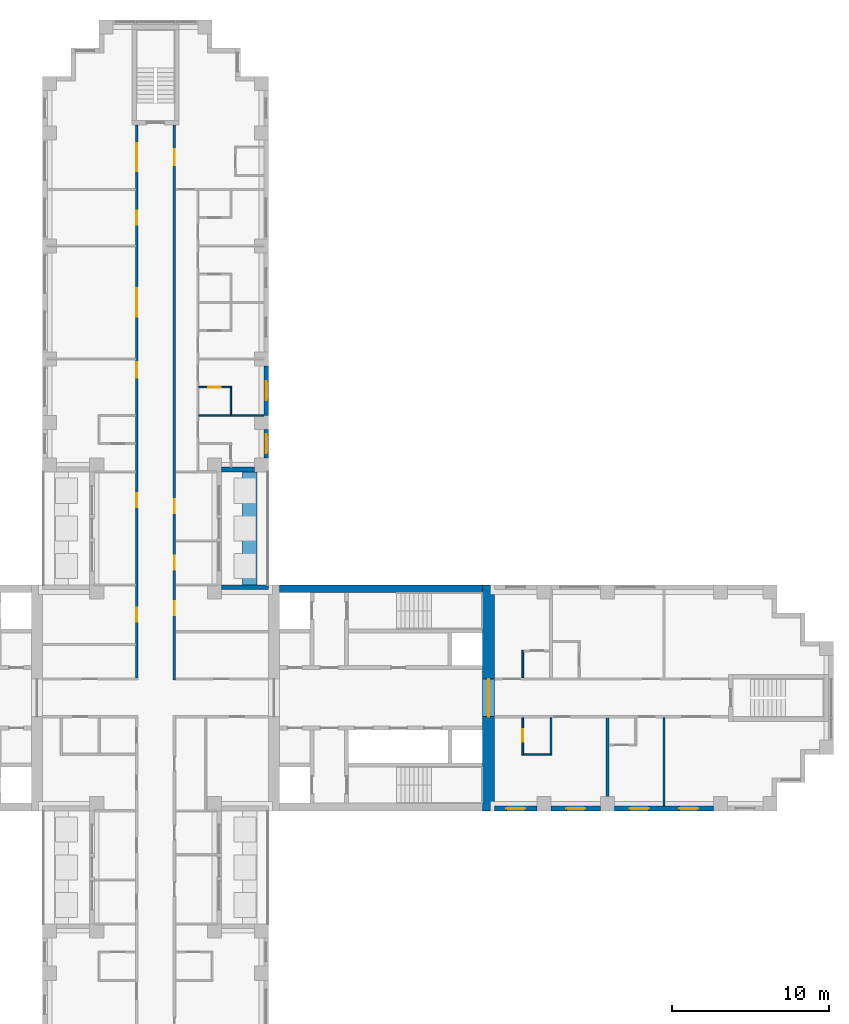
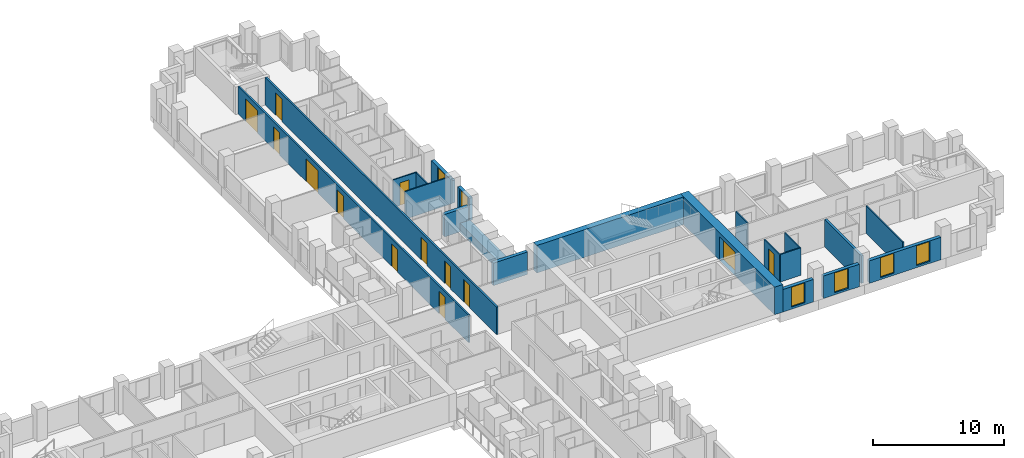
# One storey, part 9 of 15: 21 walls, 13 doors, 6 windows, 19 openings.
"""IFC4 building model written with IfcOpenShell, lengths in metres."""

from ifc_helpers import new_model, si_unit, direction, frame, frame_2d, origin, place, context, subcontext, project, spatial, rectangle, extrude, material, layer, layer_set, type_object, element, fill, save


model = new_model("IFC4")

# Units and contexts
model_context = context("Model", 3, precision=1e-05, world=origin(), true_north=direction((0.0, 1.0)))
body_context = subcontext(model_context, "Body", "Model", "MODEL_VIEW")
ifc_project = project(units=[si_unit("LENGTHUNIT", "METRE"), si_unit("AREAUNIT", "SQUARE_METRE"), si_unit("VOLUMEUNIT", "CUBIC_METRE"), si_unit("PLANEANGLEUNIT", "RADIAN"), si_unit("MASSUNIT", "GRAM", prefix="KILO")], contexts=[model_context])

# Site, building, storey
site_placement = place(None, origin())
site = spatial("IfcSite", under=ifc_project, at=site_placement, CompositionType="ELEMENT")
building_placement = place(site_placement, origin())
building = spatial("IfcBuilding", under=site, at=building_placement, Name="Fustian Cross Tower", CompositionType="ELEMENT")
storey_placement = place(building_placement, frame((0.0, 0.0, 41.699951171875)))
storey = spatial("IfcBuildingStorey", under=building, at=storey_placement, Name="L12", CompositionType="ELEMENT", Elevation=41.699951171875)

# Wall, openings, doors
ifc_material_1 = material(Name="Plasterboard on steel stud", Category="steel")
ifc_layer_1 = layer(ifc_material_1, 0.14990234375)
ifc_layer_set_1 = layer_set([ifc_layer_1], Name="Plasterboard on steel stud")
wall_type_1 = type_object("IfcWallType", Name="COMPARTMENT WALL 150 EI 60", PredefinedType="PARTITIONING", material=ifc_layer_set_1)
wall_1_placement = place(storey_placement, frame((-1.199951171875, 1.27490234375, 0.0), z_axis=(0.0, 0.0, 1.0), x_axis=(0.0, 1.0, 0.0)))
wall_1 = element("IfcWall", 1, at=wall_1_placement, inside=storey, type_object=wall_type_1, Name="Partition 39", PredefinedType="PARTITIONING", context=body_context, shape_type="SweptSolid", body=[
    extrude(rectangle(XDim=35.22509765625, YDim=0.14990234375, at=frame_2d((17.612548828125, 0.0))), origin(), (0.0, 0.0, 1.0), 2.574951171875),
])
opening_1_placement = place(wall_1_placement, frame((3.574951171875, 0.0, 0.0)))
opening_1 = element("IfcOpeningElement", 2, at=opening_1_placement, cuts=wall_1, Name="Opening D07004", PredefinedType="OPENING", context=body_context, shape_type="SweptSolid", body=[
    extrude(rectangle(XDim=0.89990234375, YDim=2.10009765625, at=frame_2d((0.449951171875, 1.050048828125))), frame((0.0, 0.0849609375, 0.0), z_axis=(0.0, -1.0, 0.0), x_axis=(1.0, 0.0, 0.0)), (0.0, 0.0, 1.0), 0.169921875),
])
opening_2_placement = place(wall_1_placement, frame((10.875, 0.0, 0.0)))
opening_2 = element("IfcOpeningElement", 3, at=opening_2_placement, cuts=wall_1, Name="Opening D07020", PredefinedType="OPENING", context=body_context, shape_type="SweptSolid", body=[
    extrude(rectangle(XDim=0.89990234375, YDim=2.10009765625, at=frame_2d((0.449951171875, 1.050048828125))), frame((0.0, 0.0849609375, 0.0), z_axis=(0.0, -1.0, 0.0), x_axis=(1.0, 0.0, 0.0)), (0.0, 0.0, 1.0), 0.169921875),
])
opening_3_placement = place(wall_1_placement, frame((19.125, 0.0, 0.0)))
opening_3 = element("IfcOpeningElement", 4, at=opening_3_placement, cuts=wall_1, Name="Opening D07022", PredefinedType="OPENING", context=body_context, shape_type="SweptSolid", body=[
    extrude(rectangle(XDim=1.0, YDim=2.10009765625, at=frame_2d((0.5, 1.050048828125))), frame((0.0, 0.0849609375, 0.0), z_axis=(0.0, -1.0, 0.0), x_axis=(1.0, 0.0, 0.0)), (0.0, 0.0, 1.0), 0.169921875),
])
opening_4_placement = place(wall_1_placement, frame((23.02490234375, 0.0, 0.0)))
opening_4 = element("IfcOpeningElement", 5, at=opening_4_placement, cuts=wall_1, Name="Opening D07023", PredefinedType="OPENING", context=body_context, shape_type="SweptSolid", body=[
    extrude(rectangle(XDim=1.800048828125, YDim=2.10009765625, at=frame_2d((0.89990234375, 1.050048828125))), frame((0.0, 0.0849609375, 0.0), z_axis=(0.0, -1.0, 0.0), x_axis=(1.0, 0.0, 0.0)), (0.0, 0.0, 1.0), 0.169921875),
])
opening_5_placement = place(wall_1_placement, frame((28.875, 0.0, 0.0)))
opening_5 = element("IfcOpeningElement", 6, at=opening_5_placement, cuts=wall_1, Name="Opening D07024", PredefinedType="OPENING", context=body_context, shape_type="SweptSolid", body=[
    extrude(rectangle(XDim=0.89990234375, YDim=2.10009765625, at=frame_2d((0.449951171875, 1.050048828125))), frame((0.0, 0.0849609375, 0.0), z_axis=(0.0, -1.0, 0.0), x_axis=(1.0, 0.0, 0.0)), (0.0, 0.0, 1.0), 0.169921875),
])
opening_6_placement = place(wall_1_placement, frame((32.27490234375, 0.0, 0.0)))
opening_6 = element("IfcOpeningElement", 7, at=opening_6_placement, cuts=wall_1, Name="Opening D07025", PredefinedType="OPENING", context=body_context, shape_type="SweptSolid", body=[
    extrude(rectangle(XDim=1.800048828125, YDim=2.10009765625, at=frame_2d((0.89990234375, 1.050048828125))), frame((0.0, 0.0849609375, 0.0), z_axis=(0.0, -1.0, 0.0), x_axis=(1.0, 0.0, 0.0)), (0.0, 0.0, 1.0), 0.169921875),
])
ifc_material_2 = material(Name="Timber fire door set", Category="wood")
door_type_1 = type_object("IfcDoorType", Name="FIRE DOUBLE DOOR 1800 FD30S", OperationType="DOUBLE_DOOR_DOUBLE_SWING", PredefinedType="DOOR", material=ifc_material_2)
door_1_placement = place(opening_4_placement, frame((1.800048828125, 0.0, 0.0), z_axis=(0.0, 0.0, 1.0), x_axis=(-1.0, 0.0, 0.0)))
door_1 = element("IfcDoor", 8, at=door_1_placement, inside=storey, type_object=door_type_1, Name="Door D07023", OperationType="DOUBLE_DOOR_DOUBLE_SWING", OverallHeight=2.10009765625, OverallWidth=1.800048828125, PredefinedType="DOOR", context=body_context, shape_type="SweptSolid", body=[
    extrude(rectangle(XDim=1.800048828125, YDim=2.10009765625, at=frame_2d((0.89990234375, 1.050048828125))), frame((0.0, 0.02490234375, 0.0), z_axis=(0.0, -1.0, 0.0), x_axis=(1.0, 0.0, 0.0)), (0.0, 0.0, 1.0), 0.050048828125),
])
fill(opening_4, door_1)
door_2_placement = place(opening_6_placement, frame((1.800048828125, 0.0, 0.0), z_axis=(0.0, 0.0, 1.0), x_axis=(-1.0, 0.0, 0.0)))
door_2 = element("IfcDoor", 9, at=door_2_placement, inside=storey, type_object=door_type_1, Name="Door D07025", OperationType="DOUBLE_DOOR_DOUBLE_SWING", OverallHeight=2.10009765625, OverallWidth=1.800048828125, PredefinedType="DOOR", context=body_context, shape_type="SweptSolid", body=[
    extrude(rectangle(XDim=1.800048828125, YDim=2.10009765625, at=frame_2d((0.89990234375, 1.050048828125))), frame((0.0, 0.02490234375, 0.0), z_axis=(0.0, -1.0, 0.0), x_axis=(1.0, 0.0, 0.0)), (0.0, 0.0, 1.0), 0.050048828125),
])
fill(opening_6, door_2)
ifc_material_3 = material(Name="Timber fire door set", Category="wood")
door_type_2 = type_object("IfcDoorType", Name="FIRE SWING DOOR 1000 FD30S", OperationType="SINGLE_SWING_LEFT", PredefinedType="DOOR", material=ifc_material_3)
door_3_placement = place(opening_3_placement, origin())
door_3 = element("IfcDoor", 10, at=door_3_placement, inside=storey, type_object=door_type_2, Name="Door D07022", OperationType="SINGLE_SWING_RIGHT", OverallHeight=2.10009765625, OverallWidth=1.0, PredefinedType="DOOR", context=body_context, shape_type="SweptSolid", body=[
    extrude(rectangle(XDim=1.0, YDim=2.10009765625, at=frame_2d((0.5, 1.050048828125))), frame((0.0, 0.02490234375, 0.0), z_axis=(0.0, -1.0, 0.0), x_axis=(1.0, 0.0, 0.0)), (0.0, 0.0, 1.0), 0.050048828125),
])
fill(opening_3, door_3)
ifc_material_4 = material(Name="Timber fire door set", Category="wood")
door_type_3 = type_object("IfcDoorType", Name="FIRE SWING DOOR 900 FD30S", OperationType="SINGLE_SWING_LEFT", PredefinedType="DOOR", material=ifc_material_4)
door_4_placement = place(opening_1_placement, origin())
door_4 = element("IfcDoor", 11, at=door_4_placement, inside=storey, type_object=door_type_3, Name="Door D07004", OperationType="SINGLE_SWING_RIGHT", OverallHeight=2.10009765625, OverallWidth=0.89990234375, PredefinedType="DOOR", context=body_context, shape_type="SweptSolid", body=[
    extrude(rectangle(XDim=0.89990234375, YDim=2.10009765625, at=frame_2d((0.449951171875, 1.050048828125))), frame((0.0, 0.02490234375, 0.0), z_axis=(0.0, -1.0, 0.0), x_axis=(1.0, 0.0, 0.0)), (0.0, 0.0, 1.0), 0.050048828125),
])
fill(opening_1, door_4)
door_5_placement = place(opening_2_placement, origin())
door_5 = element("IfcDoor", 12, at=door_5_placement, inside=storey, type_object=door_type_3, Name="Door D07020", OperationType="SINGLE_SWING_RIGHT", OverallHeight=2.10009765625, OverallWidth=0.89990234375, PredefinedType="DOOR", context=body_context, shape_type="SweptSolid", body=[
    extrude(rectangle(XDim=0.89990234375, YDim=2.10009765625, at=frame_2d((0.449951171875, 1.050048828125))), frame((0.0, 0.02490234375, 0.0), z_axis=(0.0, -1.0, 0.0), x_axis=(1.0, 0.0, 0.0)), (0.0, 0.0, 1.0), 0.050048828125),
])
fill(opening_2, door_5)
door_6_placement = place(opening_5_placement, origin())
door_6 = element("IfcDoor", 13, at=door_6_placement, inside=storey, type_object=door_type_3, Name="Door D07024", OperationType="SINGLE_SWING_LEFT", OverallHeight=2.10009765625, OverallWidth=0.89990234375, PredefinedType="DOOR", context=body_context, shape_type="SweptSolid", body=[
    extrude(rectangle(XDim=0.89990234375, YDim=2.10009765625, at=frame_2d((0.449951171875, 1.050048828125))), frame((0.0, 0.02490234375, 0.0), z_axis=(0.0, -1.0, 0.0), x_axis=(1.0, 0.0, 0.0)), (0.0, 0.0, 1.0), 0.050048828125),
])
fill(opening_5, door_6)

wall_2_placement = place(storey_placement, frame((1.199951171875, 1.125, 0.0), z_axis=(0.0, 0.0, 1.0), x_axis=(0.0, 1.0, 0.0)))
wall_2 = element("IfcWall", 14, at=wall_2_placement, inside=storey, type_object=wall_type_1, Name="Partition 52", PredefinedType="PARTITIONING", context=body_context, shape_type="SweptSolid", body=[
    extrude(rectangle(XDim=35.375, YDim=0.14990234375, at=frame_2d((17.6875, 0.0))), origin(), (0.0, 0.0, 1.0), 2.574951171875),
])
opening_7_placement = place(wall_2_placement, frame((4.125, 0.0, 0.0)))
opening_7 = element("IfcOpeningElement", 15, at=opening_7_placement, cuts=wall_2, Name="Opening D07002", PredefinedType="OPENING", context=body_context, shape_type="SweptSolid", body=[
    extrude(rectangle(XDim=0.89990234375, YDim=2.10009765625, at=frame_2d((0.449951171875, 1.050048828125))), frame((0.0, 0.0849609375, 0.0), z_axis=(0.0, -1.0, 0.0), x_axis=(1.0, 0.0, 0.0)), (0.0, 0.0, 1.0), 0.169921875),
])
opening_8_placement = place(wall_2_placement, frame((7.02490234375, 0.0, 0.0)))
opening_8 = element("IfcOpeningElement", 16, at=opening_8_placement, cuts=wall_2, Name="Opening D07026", PredefinedType="OPENING", context=body_context, shape_type="SweptSolid", body=[
    extrude(rectangle(XDim=0.89990234375, YDim=2.10009765625, at=frame_2d((0.449951171875, 1.050048828125))), frame((0.0, 0.0849609375, 0.0), z_axis=(0.0, -1.0, 0.0), x_axis=(1.0, 0.0, 0.0)), (0.0, 0.0, 1.0), 0.169921875),
])
opening_9_placement = place(wall_2_placement, frame((10.625, 0.0, 0.0)))
opening_9 = element("IfcOpeningElement", 17, at=opening_9_placement, cuts=wall_2, Name="Opening D07027", PredefinedType="OPENING", context=body_context, shape_type="SweptSolid", body=[
    extrude(rectangle(XDim=0.89990234375, YDim=2.10009765625, at=frame_2d((0.449951171875, 1.050048828125))), frame((0.0, 0.0849609375, 0.0), z_axis=(0.0, -1.0, 0.0), x_axis=(1.0, 0.0, 0.0)), (0.0, 0.0, 1.0), 0.169921875),
])
opening_10_placement = place(wall_2_placement, frame((32.824951171875, 0.0, 0.0)))
opening_10 = element("IfcOpeningElement", 18, at=opening_10_placement, cuts=wall_2, Name="Opening D07029", PredefinedType="OPENING", context=body_context, shape_type="SweptSolid", body=[
    extrude(rectangle(XDim=1.0, YDim=2.10009765625, at=frame_2d((0.5, 1.050048828125))), frame((0.0, 0.0849609375, 0.0), z_axis=(0.0, -1.0, 0.0), x_axis=(1.0, 0.0, 0.0)), (0.0, 0.0, 1.0), 0.169921875),
])
door_7_placement = place(opening_10_placement, frame((1.0, 0.0, 0.0), z_axis=(0.0, 0.0, 1.0), x_axis=(-1.0, 0.0, 0.0)))
door_7 = element("IfcDoor", 19, at=door_7_placement, inside=storey, type_object=door_type_2, Name="Door D07029", OperationType="SINGLE_SWING_RIGHT", OverallHeight=2.10009765625, OverallWidth=1.0, PredefinedType="DOOR", context=body_context, shape_type="SweptSolid", body=[
    extrude(rectangle(XDim=1.0, YDim=2.10009765625, at=frame_2d((0.5, 1.050048828125))), frame((0.0, 0.02490234375, 0.0), z_axis=(0.0, -1.0, 0.0), x_axis=(1.0, 0.0, 0.0)), (0.0, 0.0, 1.0), 0.050048828125),
])
fill(opening_10, door_7)
door_8_placement = place(opening_7_placement, frame((0.89990234375, 0.0, 0.0), z_axis=(0.0, 0.0, 1.0), x_axis=(-1.0, 0.0, 0.0)))
door_8 = element("IfcDoor", 20, at=door_8_placement, inside=storey, type_object=door_type_3, Name="Door D07002", OperationType="SINGLE_SWING_LEFT", OverallHeight=2.10009765625, OverallWidth=0.89990234375, PredefinedType="DOOR", context=body_context, shape_type="SweptSolid", body=[
    extrude(rectangle(XDim=0.89990234375, YDim=2.10009765625, at=frame_2d((0.449951171875, 1.050048828125))), frame((0.0, 0.02490234375, 0.0), z_axis=(0.0, -1.0, 0.0), x_axis=(1.0, 0.0, 0.0)), (0.0, 0.0, 1.0), 0.050048828125),
])
fill(opening_7, door_8)
door_9_placement = place(opening_8_placement, frame((0.89990234375, 0.0, 0.0), z_axis=(0.0, 0.0, 1.0), x_axis=(-1.0, 0.0, 0.0)))
door_9 = element("IfcDoor", 21, at=door_9_placement, inside=storey, type_object=door_type_3, Name="Door D07026", OperationType="SINGLE_SWING_RIGHT", OverallHeight=2.10009765625, OverallWidth=0.89990234375, PredefinedType="DOOR", context=body_context, shape_type="SweptSolid", body=[
    extrude(rectangle(XDim=0.89990234375, YDim=2.10009765625, at=frame_2d((0.449951171875, 1.050048828125))), frame((0.0, 0.02490234375, 0.0), z_axis=(0.0, -1.0, 0.0), x_axis=(1.0, 0.0, 0.0)), (0.0, 0.0, 1.0), 0.050048828125),
])
fill(opening_8, door_9)
door_10_placement = place(opening_9_placement, frame((0.89990234375, 0.0, 0.0), z_axis=(0.0, 0.0, 1.0), x_axis=(-1.0, 0.0, 0.0)))
door_10 = element("IfcDoor", 22, at=door_10_placement, inside=storey, type_object=door_type_3, Name="Door D07027", OperationType="SINGLE_SWING_RIGHT", OverallHeight=2.10009765625, OverallWidth=0.89990234375, PredefinedType="DOOR", context=body_context, shape_type="SweptSolid", body=[
    extrude(rectangle(XDim=0.89990234375, YDim=2.10009765625, at=frame_2d((0.449951171875, 1.050048828125))), frame((0.0, 0.02490234375, 0.0), z_axis=(0.0, -1.0, 0.0), x_axis=(1.0, 0.0, 0.0)), (0.0, 0.0, 1.0), 0.050048828125),
])
fill(opening_9, door_10)

# Wall, opening, door
ifc_material_5 = material(Name="Concrete C80/95", Category="concrete")
ifc_layer_2 = layer(ifc_material_5, 0.75)
ifc_layer_set_2 = layer_set([ifc_layer_2], Name="Concrete C80/95")
wall_type_2 = type_object("IfcWallType", Name="CORE END WALL 750 C80/95", PredefinedType="SHEAR", material=ifc_layer_set_2)
wall_3_placement = place(storey_placement, frame((21.22509765625, -7.199951171875, 0.0), z_axis=(0.0, 0.0, 1.0), x_axis=(0.0, 1.0, 0.0)))
wall_3 = element("IfcWall", 23, at=wall_3_placement, inside=storey, type_object=wall_type_2, Name="Core end wall", PredefinedType="SHEAR", context=body_context, shape_type="SweptSolid", body=[
    extrude(rectangle(XDim=14.39990234375, YDim=0.75, at=frame_2d((7.199951171875, 0.0))), origin(), (0.0, 0.0, 1.0), 2.574951171875),
])
opening_11_placement = place(wall_3_placement, frame((6.0, 0.0, 0.0)))
opening_11 = element("IfcOpeningElement", 24, at=opening_11_placement, cuts=wall_3, Name="Opening CD-04-13", PredefinedType="OPENING", context=body_context, shape_type="SweptSolid", body=[
    extrude(rectangle(XDim=2.39990234375, YDim=2.199951171875, at=frame_2d((1.199951171875, 1.10009765625))), frame((0.0, 0.385009765625, 0.0), z_axis=(0.0, -1.0, 0.0), x_axis=(1.0, 0.0, 0.0)), (0.0, 0.0, 1.0), 0.77001953125),
])
ifc_material_6 = material(Name="Steel", Category="steel")
door_type_4 = type_object("IfcDoorType", Name="FIRE DOOR FD30S DOUBLE 2400X2200", OperationType="DOUBLE_DOOR_DOUBLE_SWING", PredefinedType="DOOR", material=ifc_material_6)
door_11_placement = place(opening_11_placement, origin())
door_11 = element("IfcDoor", 25, at=door_11_placement, inside=storey, type_object=door_type_4, Name="Core door CD-04-13", OperationType="DOUBLE_DOOR_DOUBLE_SWING", OverallHeight=2.199951171875, OverallWidth=2.39990234375, PredefinedType="DOOR", context=body_context, shape_type="SweptSolid", body=[
    extrude(rectangle(XDim=2.39990234375, YDim=2.199951171875, at=frame_2d((1.199951171875, 1.10009765625))), frame((0.0, 0.02490234375, 0.0), z_axis=(0.0, -1.0, 0.0), x_axis=(1.0, 0.0, 0.0)), (0.0, 0.0, 1.0), 0.050048828125),
])
fill(opening_11, door_11)

# Walls
ifc_material_7 = material(Name="Concrete C80/95", Category="concrete")
ifc_layer_3 = layer(ifc_material_7, 0.5)
ifc_layer_set_3 = layer_set([ifc_layer_3], Name="Concrete C80/95")
wall_type_3 = type_object("IfcWallType", Name="CORE FACADE WALL 500 C80/95", PredefinedType="SHEAR", material=ifc_layer_set_3)
wall_4_placement = place(storey_placement, frame((7.89990234375, 6.949951171875, 0.0), z_axis=(0.0, 0.0, 1.0), x_axis=(1.0, 0.0, 0.0)))
element("IfcWall", 26, at=wall_4_placement, inside=storey, type_object=wall_type_3, Name="Core facade wall", PredefinedType="SHEAR", context=body_context, shape_type="SweptSolid", body=[
    extrude(rectangle(XDim=12.9501953125, YDim=0.5, at=frame_2d((6.47509765625, 0.0))), origin(), (0.0, 0.0, 1.0), 2.574951171875),
])
ifc_material_8 = material(Name="Plasterboard on steel stud", Category="steel")
ifc_layer_4 = layer(ifc_material_8, 0.10009765625)
ifc_layer_set_4 = layer_set([ifc_layer_4], Name="Plasterboard on steel stud")
wall_type_4 = type_object("IfcWallType", Name="PARTITION 100 STUD", PredefinedType="PARTITIONING", material=ifc_layer_set_4)
wall_5_placement = place(storey_placement, frame((2.75, 18.0, 0.0), z_axis=(0.0, 0.0, 1.0), x_axis=(1.0, 0.0, 0.0)))
element("IfcWall", 27, at=wall_5_placement, inside=storey, type_object=wall_type_4, Name="Partition 62", PredefinedType="PARTITIONING", context=body_context, shape_type="SweptSolid", body=[
    extrude(rectangle(XDim=4.14990234375, YDim=0.10009765625, at=frame_2d((2.074951171875, 0.0))), origin(), (0.0, 0.0, 1.0), 2.574951171875),
])

# Wall, opening, door
wall_6_placement = place(storey_placement, frame((2.75, 19.800048828125, 0.0), z_axis=(0.0, 0.0, 1.0), x_axis=(1.0, 0.0, 0.0)))
wall_6 = element("IfcWall", 28, at=wall_6_placement, inside=storey, type_object=wall_type_4, Name="Partition 63", PredefinedType="PARTITIONING", context=body_context, shape_type="SweptSolid", body=[
    extrude(rectangle(XDim=2.10009765625, YDim=0.10009765625, at=frame_2d((1.050048828125, 0.0))), origin(), (0.0, 0.0, 1.0), 2.574951171875),
])
opening_12_placement = place(wall_6_placement, frame((0.60009765625, 0.0, 0.0)))
opening_12 = element("IfcOpeningElement", 29, at=opening_12_placement, cuts=wall_6, Name="Opening D07037", PredefinedType="OPENING", context=body_context, shape_type="SweptSolid", body=[
    extrude(rectangle(XDim=0.800048828125, YDim=2.10009765625, at=frame_2d((0.39990234375, 1.050048828125))), frame((0.0, 0.06005859375, 0.0), z_axis=(0.0, -1.0, 0.0), x_axis=(1.0, 0.0, 0.0)), (0.0, 0.0, 1.0), 0.1201171875),
])
ifc_material_9 = material(Name="Painted timber", Category="wood")
door_type_5 = type_object("IfcDoorType", Name="SWING DOOR 800", OperationType="SINGLE_SWING_LEFT", PredefinedType="DOOR", material=ifc_material_9)
door_12_placement = place(opening_12_placement, frame((0.800048828125, 0.0, 0.0), z_axis=(0.0, 0.0, 1.0), x_axis=(-1.0, 0.0, 0.0)))
door_12 = element("IfcDoor", 30, at=door_12_placement, inside=storey, type_object=door_type_5, Name="Door D07037", OperationType="SINGLE_SWING_RIGHT", OverallHeight=2.10009765625, OverallWidth=0.800048828125, PredefinedType="DOOR", context=body_context, shape_type="SweptSolid", body=[
    extrude(rectangle(XDim=0.800048828125, YDim=2.10009765625, at=frame_2d((0.39990234375, 1.050048828125))), frame((0.0, 0.02490234375, 0.0), z_axis=(0.0, -1.0, 0.0), x_axis=(1.0, 0.0, 0.0)), (0.0, 0.0, 1.0), 0.050048828125),
])
fill(opening_12, door_12)

# Wall
wall_7_placement = place(storey_placement, frame((4.800048828125, 18.050048828125, 0.0), z_axis=(0.0, 0.0, 1.0), x_axis=(0.0, 1.0, 0.0)))
element("IfcWall", 31, at=wall_7_placement, inside=storey, type_object=wall_type_4, Name="Partition 74", PredefinedType="PARTITIONING", context=body_context, shape_type="SweptSolid", body=[
    extrude(rectangle(XDim=1.699951171875, YDim=0.10009765625, at=frame_2d((0.85009765625, 0.0))), origin(), (0.0, 0.0, 1.0), 2.574951171875),
])

# Wall, opening, door
wall_8_placement = place(storey_placement, frame((23.39990234375, -3.64990234375, 0.0), z_axis=(0.0, 0.0, 1.0), x_axis=(0.0, 1.0, 0.0)))
wall_8 = element("IfcWall", 32, at=wall_8_placement, inside=storey, type_object=wall_type_4, Name="Partition 82", PredefinedType="PARTITIONING", context=body_context, shape_type="SweptSolid", body=[
    extrude(rectangle(XDim=2.375, YDim=0.10009765625, at=frame_2d((1.1875, 0.0))), origin(), (0.0, 0.0, 1.0), 2.574951171875),
])
opening_13_placement = place(wall_8_placement, frame((0.85009765625, 0.0, 0.0)))
opening_13 = element("IfcOpeningElement", 33, at=opening_13_placement, cuts=wall_8, Name="Opening D07015", PredefinedType="OPENING", context=body_context, shape_type="SweptSolid", body=[
    extrude(rectangle(XDim=0.800048828125, YDim=2.10009765625, at=frame_2d((0.39990234375, 1.050048828125))), frame((0.0, 0.06005859375, 0.0), z_axis=(0.0, -1.0, 0.0), x_axis=(1.0, 0.0, 0.0)), (0.0, 0.0, 1.0), 0.1201171875),
])
door_13_placement = place(opening_13_placement, frame((0.800048828125, 0.0, 0.0), z_axis=(0.0, 0.0, 1.0), x_axis=(-1.0, 0.0, 0.0)))
door_13 = element("IfcDoor", 34, at=door_13_placement, inside=storey, type_object=door_type_5, Name="Door D07015", OperationType="SINGLE_SWING_RIGHT", OverallHeight=2.10009765625, OverallWidth=0.800048828125, PredefinedType="DOOR", context=body_context, shape_type="SweptSolid", body=[
    extrude(rectangle(XDim=0.800048828125, YDim=2.10009765625, at=frame_2d((0.39990234375, 1.050048828125))), frame((0.0, 0.02490234375, 0.0), z_axis=(0.0, -1.0, 0.0), x_axis=(1.0, 0.0, 0.0)), (0.0, 0.0, 1.0), 0.050048828125),
])
fill(opening_13, door_13)

# Walls
wall_9_placement = place(storey_placement, frame((23.449951171875, -3.60009765625, 0.0), z_axis=(0.0, 0.0, 1.0), x_axis=(1.0, 0.0, 0.0)))
element("IfcWall", 35, at=wall_9_placement, inside=storey, type_object=wall_type_4, Name="Partition 83", PredefinedType="PARTITIONING", context=body_context, shape_type="SweptSolid", body=[
    extrude(rectangle(XDim=1.800048828125, YDim=0.10009765625, at=frame_2d((0.89990234375, 0.0))), origin(), (0.0, 0.0, 1.0), 2.574951171875),
])
wall_10_placement = place(storey_placement, frame((23.39990234375, 1.27490234375, 0.0), z_axis=(0.0, 0.0, 1.0), x_axis=(0.0, 1.0, 0.0)))
element("IfcWall", 36, at=wall_10_placement, inside=storey, type_object=wall_type_4, Name="Partition 84", PredefinedType="PARTITIONING", context=body_context, shape_type="SweptSolid", body=[
    extrude(rectangle(XDim=1.775146484375, YDim=0.10009765625, at=frame_2d((0.8876953125, 0.0))), origin(), (0.0, 0.0, 1.0), 2.574951171875),
])
wall_11_placement = place(storey_placement, frame((25.199951171875, -3.550048828125, 0.0), z_axis=(0.0, 0.0, 1.0), x_axis=(0.0, 1.0, 0.0)))
element("IfcWall", 37, at=wall_11_placement, inside=storey, type_object=wall_type_4, Name="Partition 86", PredefinedType="PARTITIONING", context=body_context, shape_type="SweptSolid", body=[
    extrude(rectangle(XDim=2.275146484375, YDim=0.10009765625, at=frame_2d((1.1376953125, 0.0))), origin(), (0.0, 0.0, 1.0), 2.574951171875),
])
wall_12_placement = place(storey_placement, frame((32.39990234375, -6.89990234375, 0.0), z_axis=(0.0, 0.0, 1.0), x_axis=(0.0, 1.0, 0.0)))
element("IfcWall", 38, at=wall_12_placement, inside=storey, type_object=wall_type_4, Name="Partition 93", PredefinedType="PARTITIONING", context=body_context, shape_type="SweptSolid", body=[
    extrude(rectangle(XDim=5.625, YDim=0.10009765625, at=frame_2d((2.8125, 0.0))), origin(), (0.0, 0.0, 1.0), 2.574951171875),
])
ifc_material_10 = material(Name="Plasterboard on steel stud", Category="steel")
ifc_layer_5 = layer(ifc_material_10, 0.199951171875)
ifc_layer_set_5 = layer_set([ifc_layer_5], Name="Plasterboard on steel stud")
wall_type_5 = type_object("IfcWallType", Name="PARTY WALL 200 EI 60", PredefinedType="PARTITIONING", material=ifc_layer_set_5)
wall_13_placement = place(storey_placement, frame((28.800048828125, -6.89990234375, 0.0), z_axis=(0.0, 0.0, 1.0), x_axis=(0.0, 1.0, 0.0)))
element("IfcWall", 39, at=wall_13_placement, inside=storey, type_object=wall_type_5, Name="Partition 90", PredefinedType="PARTITIONING", context=body_context, shape_type="SweptSolid", body=[
    extrude(rectangle(XDim=5.625, YDim=0.199951171875, at=frame_2d((2.8125, 0.0))), origin(), (0.0, 0.0, 1.0), 2.574951171875),
])
ifc_material_11 = material(Name="Concrete C40/50", Category="concrete")
ifc_layer_6 = layer(ifc_material_11, 0.89990234375)
ifc_layer_set_6 = layer_set([ifc_layer_6], Name="Concrete C40/50")
wall_type_6 = type_object("IfcWallType", Name="PK1 PLANTER 900", PredefinedType="PARAPET", material=ifc_layer_set_6)
wall_14_placement = place(storey_placement, frame((6.0, 7.199951171875, 0.0), z_axis=(0.0, 0.0, 1.0), x_axis=(0.0, 1.0, 0.0)))
element("IfcWall", 40, at=wall_14_placement, inside=storey, type_object=wall_type_6, Name="PLANTER", PredefinedType="PARAPET", context=body_context, shape_type="SweptSolid", body=[
    extrude(rectangle(XDim=7.199951171875, YDim=0.89990234375, at=frame_2d((3.60009765625, 0.0))), origin(), (0.0, 0.0, 1.0), 0.800048828125),
])

# Wall, opening, window
ifc_material_12 = material(Name="Dark aluminium cladding on insulated backing wall", Category="aluminium")
ifc_layer_7 = layer(ifc_material_12, 0.300048828125)
ifc_layer_set_7 = layer_set([ifc_layer_7], Name="Dark aluminium cladding on insulated backing wall")
wall_type_7 = type_object("IfcWallType", Name="XW1 EXTERNAL WALL 300", PredefinedType="SOLIDWALL", material=ifc_layer_set_7)
wall_15_placement = place(storey_placement, frame((21.60009765625, -7.050048828125, 0.0), z_axis=(0.0, 0.0, 1.0), x_axis=(1.0, 0.0, 0.0)))
wall_15 = element("IfcWall", 41, at=wall_15_placement, inside=storey, type_object=wall_type_7, Name="External wall", PredefinedType="SOLIDWALL", context=body_context, shape_type="SweptSolid", body=[
    extrude(rectangle(XDim=2.699951171875, YDim=0.300048828125, at=frame_2d((1.35009765625, 0.0))), origin(), (0.0, 0.0, 1.0), 2.10009765625),
])
opening_14_placement = place(wall_15_placement, frame((0.75, 0.0, 0.199951171875)))
opening_14 = element("IfcOpeningElement", 42, at=opening_14_placement, cuts=wall_15, Name="Opening WN3", PredefinedType="OPENING", context=body_context, shape_type="SweptSolid", body=[
    extrude(rectangle(XDim=1.199951171875, YDim=1.85009765625, at=frame_2d((0.60009765625, 0.925048828125))), frame((0.0, 0.159912109375, 0.0), z_axis=(0.0, -1.0, 0.0), x_axis=(1.0, 0.0, 0.0)), (0.0, 0.0, 1.0), 0.320068359375),
])
ifc_material_13 = material(Name="Dark anodised aluminium and double glazing", Category="aluminium")
window_type = type_object("IfcWindowType", Name="WN3 WINDOW 1200X1850", PartitioningType="SINGLE_PANEL", PredefinedType="WINDOW", material=ifc_material_13)
window_1_placement = place(opening_14_placement, origin())
window_1 = element("IfcWindow", 43, at=window_1_placement, inside=storey, type_object=window_type, Name="Window", OverallHeight=1.85009765625, OverallWidth=1.199951171875, PartitioningType="SINGLE_PANEL", PredefinedType="WINDOW", context=body_context, shape_type="SweptSolid", body=[
    extrude(rectangle(XDim=1.199951171875, YDim=1.85009765625, at=frame_2d((0.60009765625, 0.925048828125))), frame((0.0, 0.030029296875, 0.0), z_axis=(0.0, -1.0, 0.0), x_axis=(1.0, 0.0, 0.0)), (0.0, 0.0, 1.0), 0.06005859375),
])
fill(opening_14, window_1)

wall_16_placement = place(storey_placement, frame((25.199951171875, -7.050048828125, 0.0), z_axis=(0.0, 0.0, 1.0), x_axis=(1.0, 0.0, 0.0)))
wall_16 = element("IfcWall", 44, at=wall_16_placement, inside=storey, type_object=wall_type_7, Name="External wall", PredefinedType="SOLIDWALL", context=body_context, shape_type="SweptSolid", body=[
    extrude(rectangle(XDim=3.150146484375, YDim=0.300048828125, at=frame_2d((1.5751953125, 0.0))), origin(), (0.0, 0.0, 1.0), 2.10009765625),
])
opening_15_placement = place(wall_16_placement, frame((0.97509765625, 0.0, 0.199951171875)))
opening_15 = element("IfcOpeningElement", 45, at=opening_15_placement, cuts=wall_16, Name="Opening WN3", PredefinedType="OPENING", context=body_context, shape_type="SweptSolid", body=[
    extrude(rectangle(XDim=1.199951171875, YDim=1.85009765625, at=frame_2d((0.60009765625, 0.925048828125))), frame((0.0, 0.159912109375, 0.0), z_axis=(0.0, -1.0, 0.0), x_axis=(1.0, 0.0, 0.0)), (0.0, 0.0, 1.0), 0.320068359375),
])
window_2_placement = place(opening_15_placement, origin())
window_2 = element("IfcWindow", 46, at=window_2_placement, inside=storey, type_object=window_type, Name="Window", OverallHeight=1.85009765625, OverallWidth=1.199951171875, PartitioningType="SINGLE_PANEL", PredefinedType="WINDOW", context=body_context, shape_type="SweptSolid", body=[
    extrude(rectangle(XDim=1.199951171875, YDim=1.85009765625, at=frame_2d((0.60009765625, 0.925048828125))), frame((0.0, 0.030029296875, 0.0), z_axis=(0.0, -1.0, 0.0), x_axis=(1.0, 0.0, 0.0)), (0.0, 0.0, 1.0), 0.06005859375),
])
fill(opening_15, window_2)

# Wall, openings, windows
wall_17_placement = place(storey_placement, frame((29.25, -7.050048828125, 0.0), z_axis=(0.0, 0.0, 1.0), x_axis=(1.0, 0.0, 0.0)))
wall_17 = element("IfcWall", 47, at=wall_17_placement, inside=storey, type_object=wall_type_7, Name="External wall", PredefinedType="SOLIDWALL", context=body_context, shape_type="SweptSolid", body=[
    extrude(rectangle(XDim=6.300048828125, YDim=0.300048828125, at=frame_2d((3.14990234375, 0.0))), origin(), (0.0, 0.0, 1.0), 2.10009765625),
])
opening_16_placement = place(wall_17_placement, frame((0.97509765625, 0.0, 0.199951171875)))
opening_16 = element("IfcOpeningElement", 48, at=opening_16_placement, cuts=wall_17, Name="Opening WN3", PredefinedType="OPENING", context=body_context, shape_type="SweptSolid", body=[
    extrude(rectangle(XDim=1.199951171875, YDim=1.85009765625, at=frame_2d((0.60009765625, 0.925048828125))), frame((0.0, 0.159912109375, 0.0), z_axis=(0.0, -1.0, 0.0), x_axis=(1.0, 0.0, 0.0)), (0.0, 0.0, 1.0), 0.320068359375),
])
opening_17_placement = place(wall_17_placement, frame((4.125, 0.0, 0.199951171875)))
opening_17 = element("IfcOpeningElement", 49, at=opening_17_placement, cuts=wall_17, Name="Opening WN3", PredefinedType="OPENING", context=body_context, shape_type="SweptSolid", body=[
    extrude(rectangle(XDim=1.199951171875, YDim=1.85009765625, at=frame_2d((0.60009765625, 0.925048828125))), frame((0.0, 0.159912109375, 0.0), z_axis=(0.0, -1.0, 0.0), x_axis=(1.0, 0.0, 0.0)), (0.0, 0.0, 1.0), 0.320068359375),
])
window_3_placement = place(opening_16_placement, origin())
window_3 = element("IfcWindow", 50, at=window_3_placement, inside=storey, type_object=window_type, Name="Window", OverallHeight=1.85009765625, OverallWidth=1.199951171875, PartitioningType="SINGLE_PANEL", PredefinedType="WINDOW", context=body_context, shape_type="SweptSolid", body=[
    extrude(rectangle(XDim=1.199951171875, YDim=1.85009765625, at=frame_2d((0.60009765625, 0.925048828125))), frame((0.0, 0.030029296875, 0.0), z_axis=(0.0, -1.0, 0.0), x_axis=(1.0, 0.0, 0.0)), (0.0, 0.0, 1.0), 0.06005859375),
])
fill(opening_16, window_3)
window_4_placement = place(opening_17_placement, origin())
window_4 = element("IfcWindow", 51, at=window_4_placement, inside=storey, type_object=window_type, Name="Window", OverallHeight=1.85009765625, OverallWidth=1.199951171875, PartitioningType="SINGLE_PANEL", PredefinedType="WINDOW", context=body_context, shape_type="SweptSolid", body=[
    extrude(rectangle(XDim=1.199951171875, YDim=1.85009765625, at=frame_2d((0.60009765625, 0.925048828125))), frame((0.0, 0.030029296875, 0.0), z_axis=(0.0, -1.0, 0.0), x_axis=(1.0, 0.0, 0.0)), (0.0, 0.0, 1.0), 0.06005859375),
])
fill(opening_17, window_4)

# Walls
wall_18_placement = place(storey_placement, frame((7.199951171875, 7.050048828125, 0.0), z_axis=(0.0, 0.0, 1.0), x_axis=(-1.0, 0.0, 0.0)))
element("IfcWall", 52, at=wall_18_placement, inside=storey, type_object=wall_type_7, Name="External wall", PredefinedType="SOLIDWALL", context=body_context, shape_type="SweptSolid", body=[
    extrude(rectangle(XDim=3.0, YDim=0.300048828125, at=frame_2d((1.5, 0.0))), origin(), (0.0, 0.0, 1.0), 2.10009765625),
])
wall_19_placement = place(storey_placement, frame((4.199951171875, 14.550048828125, 0.0), z_axis=(0.0, 0.0, 1.0), x_axis=(1.0, 0.0, 0.0)))
element("IfcWall", 53, at=wall_19_placement, inside=storey, type_object=wall_type_7, Name="External wall", PredefinedType="SOLIDWALL", context=body_context, shape_type="SweptSolid", body=[
    extrude(rectangle(XDim=2.10009765625, YDim=0.300048828125, at=frame_2d((1.050048828125, 0.0))), origin(), (0.0, 0.0, 1.0), 2.10009765625),
])

# Wall, opening, window
wall_20_placement = place(storey_placement, frame((7.050048828125, 15.300048828125, 0.0), z_axis=(0.0, 0.0, 1.0), x_axis=(0.0, 1.0, 0.0)))
wall_20 = element("IfcWall", 54, at=wall_20_placement, inside=storey, type_object=wall_type_7, Name="External wall", PredefinedType="SOLIDWALL", context=body_context, shape_type="SweptSolid", body=[
    extrude(rectangle(XDim=1.800048828125, YDim=0.300048828125, at=frame_2d((0.89990234375, 0.0))), origin(), (0.0, 0.0, 1.0), 2.10009765625),
])
opening_18_placement = place(wall_20_placement, frame((0.300048828125, 0.0, 0.199951171875)))
opening_18 = element("IfcOpeningElement", 55, at=opening_18_placement, cuts=wall_20, Name="Opening WN3", PredefinedType="OPENING", context=body_context, shape_type="SweptSolid", body=[
    extrude(rectangle(XDim=1.199951171875, YDim=1.85009765625, at=frame_2d((0.60009765625, 0.925048828125))), frame((0.0, 0.159912109375, 0.0), z_axis=(0.0, -1.0, 0.0), x_axis=(1.0, 0.0, 0.0)), (0.0, 0.0, 1.0), 0.320068359375),
])
window_5_placement = place(opening_18_placement, origin())
window_5 = element("IfcWindow", 56, at=window_5_placement, inside=storey, type_object=window_type, Name="Window", OverallHeight=1.85009765625, OverallWidth=1.199951171875, PartitioningType="SINGLE_PANEL", PredefinedType="WINDOW", context=body_context, shape_type="SweptSolid", body=[
    extrude(rectangle(XDim=1.199951171875, YDim=1.85009765625, at=frame_2d((0.60009765625, 0.925048828125))), frame((0.0, 0.030029296875, 0.0), z_axis=(0.0, -1.0, 0.0), x_axis=(1.0, 0.0, 0.0)), (0.0, 0.0, 1.0), 0.06005859375),
])
fill(opening_18, window_5)

wall_21_placement = place(storey_placement, frame((7.050048828125, 18.0, 0.0), z_axis=(0.0, 0.0, 1.0), x_axis=(0.0, 1.0, 0.0)))
wall_21 = element("IfcWall", 57, at=wall_21_placement, inside=storey, type_object=wall_type_7, Name="External wall", PredefinedType="SOLIDWALL", context=body_context, shape_type="SweptSolid", body=[
    extrude(rectangle(XDim=3.14990234375, YDim=0.300048828125, at=frame_2d((1.574951171875, 0.0))), origin(), (0.0, 0.0, 1.0), 2.10009765625),
])
opening_19_placement = place(wall_21_placement, frame((0.97509765625, 0.0, 0.199951171875)))
opening_19 = element("IfcOpeningElement", 58, at=opening_19_placement, cuts=wall_21, Name="Opening WN3", PredefinedType="OPENING", context=body_context, shape_type="SweptSolid", body=[
    extrude(rectangle(XDim=1.199951171875, YDim=1.85009765625, at=frame_2d((0.60009765625, 0.925048828125))), frame((0.0, 0.159912109375, 0.0), z_axis=(0.0, -1.0, 0.0), x_axis=(1.0, 0.0, 0.0)), (0.0, 0.0, 1.0), 0.320068359375),
])
window_6_placement = place(opening_19_placement, origin())
window_6 = element("IfcWindow", 59, at=window_6_placement, inside=storey, type_object=window_type, Name="Window", OverallHeight=1.85009765625, OverallWidth=1.199951171875, PartitioningType="SINGLE_PANEL", PredefinedType="WINDOW", context=body_context, shape_type="SweptSolid", body=[
    extrude(rectangle(XDim=1.199951171875, YDim=1.85009765625, at=frame_2d((0.60009765625, 0.925048828125))), frame((0.0, 0.030029296875, 0.0), z_axis=(0.0, -1.0, 0.0), x_axis=(1.0, 0.0, 0.0)), (0.0, 0.0, 1.0), 0.06005859375),
])
fill(opening_19, window_6)

save(model, "model.ifc")
